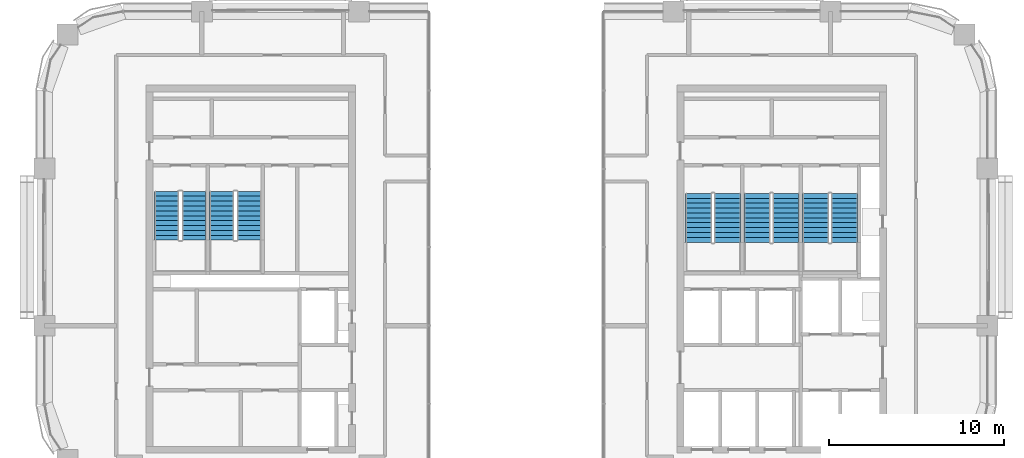
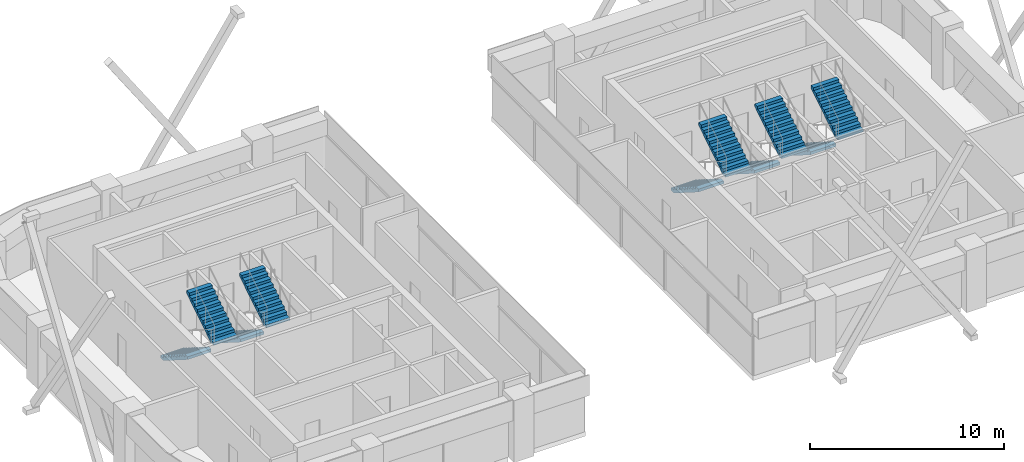
# One storey, part 12 of 14: 10 stair flights, 5 elements without a shape of their own.
"""IFC4 building model written with IfcOpenShell, lengths in metres."""

from ifc_helpers import new_model, si_unit, direction, frame, origin, place, context, subcontext, project, spatial, polyline, outline, extrude, material, type_object, element, aggregate, save


model = new_model("IFC4")

# Units and contexts
model_context = context("Model", 3, precision=1e-05, world=origin(), true_north=direction((0.0, 1.0)))
body_context = subcontext(model_context, "Body", "Model", "MODEL_VIEW")
ifc_project = project(units=[si_unit("LENGTHUNIT", "METRE"), si_unit("AREAUNIT", "SQUARE_METRE"), si_unit("VOLUMEUNIT", "CUBIC_METRE"), si_unit("PLANEANGLEUNIT", "RADIAN"), si_unit("MASSUNIT", "GRAM", prefix="KILO")], contexts=[model_context])

# Site, building, storey
site_placement = place(None, origin())
site = spatial("IfcSite", under=ifc_project, at=site_placement, CompositionType="ELEMENT")
building_placement = place(site_placement, origin())
building = spatial("IfcBuilding", under=site, at=building_placement, Name="Tessera Arch", CompositionType="ELEMENT")
storey_placement = place(building_placement, frame((0.0, 0.0, 215.0)))
storey = spatial("IfcBuildingStorey", under=building, at=storey_placement, Name="L51", CompositionType="ELEMENT", Elevation=215.0)

# Stair, stair flights
ifc_material_1 = material(Name="Concrete C40/50", Category="concrete")
stair_type_1 = type_object("IfcStairType", Name="Dogleg stair 1400", PredefinedType="HALF_TURN_STAIR", material=ifc_material_1)
stair_1_placement = place(storey_placement, origin())
stair_1 = element("IfcStair", 1, at=stair_1_placement, inside=storey, type_object=stair_type_1, Name="L51 S2a", PredefinedType="HALF_TURN_STAIR")
ifc_material_2 = material(Name="Concrete C40/50", Category="concrete")
stair_flight_type_1 = type_object("IfcStairFlightType", Name="Stair flight 1400", PredefinedType="STRAIGHT", material=ifc_material_2)
stair_flight_1_placement = place(storey_placement, frame((7.0, 43.699951171875, 0.0), z_axis=(0.0, 0.0, 1.0), x_axis=(0.0, -1.0, 0.0)))
stair_flight_1 = element("IfcStairFlight", 2, at=stair_flight_1_placement, type_object=stair_flight_type_1, Name="S2a flight 1", NumberOfRisers=11, NumberOfTreads=10, PredefinedType="STRAIGHT", RiserHeight=0.177272727, TreadLength=0.28, context=body_context, shape_type="SweptSolid", body=[
    extrude(outline(polyline([(0.0, 0.0), (0.0, 0.17724609375), (0.280029296875, 0.17724609375), (0.280029296875, 0.3544921875), (0.56005859375, 0.3544921875), (0.56005859375, 0.53173828125), (0.840087890625, 0.53173828125), (0.840087890625, 0.708984375), (1.1201171875, 0.708984375), (1.1201171875, 0.886474609375), (1.39990234375, 0.886474609375), (1.39990234375, 1.063720703125), (1.679931640625, 1.063720703125), (1.679931640625, 1.240966796875), (1.9599609375, 1.240966796875), (1.9599609375, 1.418212890625), (2.239990234375, 1.418212890625), (2.239990234375, 1.595458984375), (2.52001953125, 1.595458984375), (2.52001953125, 1.772705078125), (2.800048828125, 1.772705078125), (2.800048828125, 1.949951171875), (2.800048828125, 1.59521484375), (0.2802734375, 0.0), (0.0, 0.0)])), frame((0.0, 0.699951171875, 0.0), z_axis=(0.0, -1.0, 0.0), x_axis=(1.0, 0.0, 0.0)), (0.0, 0.0, 1.0), 1.39990234375),
])
stair_flight_2_placement = place(storey_placement, frame((8.550048828125, 40.89990234375, 1.949951171875), z_axis=(0.0, 0.0, 1.0), x_axis=(0.0, 1.0, 0.0)))
stair_flight_2 = element("IfcStairFlight", 3, at=stair_flight_2_placement, type_object=stair_flight_type_1, Name="S2a flight 2", NumberOfRisers=11, NumberOfTreads=10, PredefinedType="STRAIGHT", RiserHeight=0.177272727, TreadLength=0.28, context=body_context, shape_type="SweptSolid", body=[
    extrude(outline(polyline([(0.0, 0.0), (0.0, 0.17724609375), (0.280029296875, 0.17724609375), (0.280029296875, 0.3544921875), (0.56005859375, 0.3544921875), (0.56005859375, 0.53173828125), (0.840087890625, 0.53173828125), (0.840087890625, 0.708984375), (1.1201171875, 0.708984375), (1.1201171875, 0.886474609375), (1.39990234375, 0.886474609375), (1.39990234375, 1.063720703125), (1.679931640625, 1.063720703125), (1.679931640625, 1.240966796875), (1.9599609375, 1.240966796875), (1.9599609375, 1.418212890625), (2.239990234375, 1.418212890625), (2.239990234375, 1.595458984375), (2.52001953125, 1.595458984375), (2.52001953125, 1.772705078125), (2.800048828125, 1.772705078125), (2.800048828125, 1.949951171875), (2.800048828125, 1.59521484375), (0.2802734375, 0.0), (0.0, 0.0)])), frame((0.0, 0.699951171875, 0.0), z_axis=(0.0, -1.0, 0.0), x_axis=(1.0, 0.0, 0.0)), (0.0, 0.0, 1.0), 1.39990234375),
])
aggregate(stair_1, [stair_flight_1, stair_flight_2])

stair_2_placement = place(storey_placement, origin())
stair_2 = element("IfcStair", 4, at=stair_2_placement, inside=storey, type_object=stair_type_1, Name="L51 S2b", PredefinedType="HALF_TURN_STAIR")
stair_flight_3_placement = place(storey_placement, frame((10.14990234375, 43.699951171875, 0.0), z_axis=(0.0, 0.0, 1.0), x_axis=(0.0, -1.0, 0.0)))
stair_flight_3 = element("IfcStairFlight", 5, at=stair_flight_3_placement, type_object=stair_flight_type_1, Name="S2b flight 1", NumberOfRisers=11, NumberOfTreads=10, PredefinedType="STRAIGHT", RiserHeight=0.177272727, TreadLength=0.28, context=body_context, shape_type="SweptSolid", body=[
    extrude(outline(polyline([(0.0, 0.0), (0.0, 0.17724609375), (0.280029296875, 0.17724609375), (0.280029296875, 0.3544921875), (0.56005859375, 0.3544921875), (0.56005859375, 0.53173828125), (0.840087890625, 0.53173828125), (0.840087890625, 0.708984375), (1.1201171875, 0.708984375), (1.1201171875, 0.886474609375), (1.39990234375, 0.886474609375), (1.39990234375, 1.063720703125), (1.679931640625, 1.063720703125), (1.679931640625, 1.240966796875), (1.9599609375, 1.240966796875), (1.9599609375, 1.418212890625), (2.239990234375, 1.418212890625), (2.239990234375, 1.595458984375), (2.52001953125, 1.595458984375), (2.52001953125, 1.772705078125), (2.800048828125, 1.772705078125), (2.800048828125, 1.949951171875), (2.800048828125, 1.59521484375), (0.2802734375, 0.0), (0.0, 0.0)])), frame((0.0, 0.699951171875, 0.0), z_axis=(0.0, -1.0, 0.0), x_axis=(1.0, 0.0, 0.0)), (0.0, 0.0, 1.0), 1.39990234375),
])
stair_flight_4_placement = place(storey_placement, frame((11.699951171875, 40.89990234375, 1.949951171875), z_axis=(0.0, 0.0, 1.0), x_axis=(0.0, 1.0, 0.0)))
stair_flight_4 = element("IfcStairFlight", 6, at=stair_flight_4_placement, type_object=stair_flight_type_1, Name="S2b flight 2", NumberOfRisers=11, NumberOfTreads=10, PredefinedType="STRAIGHT", RiserHeight=0.177272727, TreadLength=0.28, context=body_context, shape_type="SweptSolid", body=[
    extrude(outline(polyline([(0.0, 0.0), (0.0, 0.17724609375), (0.280029296875, 0.17724609375), (0.280029296875, 0.3544921875), (0.56005859375, 0.3544921875), (0.56005859375, 0.53173828125), (0.840087890625, 0.53173828125), (0.840087890625, 0.708984375), (1.1201171875, 0.708984375), (1.1201171875, 0.886474609375), (1.39990234375, 0.886474609375), (1.39990234375, 1.063720703125), (1.679931640625, 1.063720703125), (1.679931640625, 1.240966796875), (1.9599609375, 1.240966796875), (1.9599609375, 1.418212890625), (2.239990234375, 1.418212890625), (2.239990234375, 1.595458984375), (2.52001953125, 1.595458984375), (2.52001953125, 1.772705078125), (2.800048828125, 1.772705078125), (2.800048828125, 1.949951171875), (2.800048828125, 1.59521484375), (0.2802734375, 0.0), (0.0, 0.0)])), frame((0.0, 0.699951171875, 0.0), z_axis=(0.0, -1.0, 0.0), x_axis=(1.0, 0.0, 0.0)), (0.0, 0.0, 1.0), 1.39990234375),
])
aggregate(stair_2, [stair_flight_3, stair_flight_4])

ifc_material_3 = material(Name="Concrete C40/50", Category="concrete")
stair_type_2 = type_object("IfcStairType", Name="Dogleg stair 1520", PredefinedType="HALF_TURN_STAIR", material=ifc_material_3)
stair_3_placement = place(storey_placement, origin())
stair_3 = element("IfcStair", 7, at=stair_3_placement, inside=storey, type_object=stair_type_2, Name="L51 S1a", PredefinedType="HALF_TURN_STAIR")
ifc_material_4 = material(Name="Concrete C40/50", Category="concrete")
stair_flight_type_2 = type_object("IfcStairFlightType", Name="Stair flight 1520", PredefinedType="STRAIGHT", material=ifc_material_4)
stair_flight_5_placement = place(storey_placement, frame((37.4599609375, 43.580078125, 0.0), z_axis=(0.0, 0.0, 1.0), x_axis=(0.0, -1.0, 0.0)))
stair_flight_5 = element("IfcStairFlight", 8, at=stair_flight_5_placement, type_object=stair_flight_type_2, Name="S1a flight 1", NumberOfRisers=11, NumberOfTreads=10, PredefinedType="STRAIGHT", RiserHeight=0.177272727, TreadLength=0.28, context=body_context, shape_type="SweptSolid", body=[
    extrude(outline(polyline([(0.0, 0.0), (0.0, 0.17724609375), (0.280029296875, 0.17724609375), (0.280029296875, 0.3544921875), (0.56005859375, 0.3544921875), (0.56005859375, 0.53173828125), (0.840087890625, 0.53173828125), (0.840087890625, 0.708984375), (1.1201171875, 0.708984375), (1.1201171875, 0.886474609375), (1.39990234375, 0.886474609375), (1.39990234375, 1.063720703125), (1.679931640625, 1.063720703125), (1.679931640625, 1.240966796875), (1.9599609375, 1.240966796875), (1.9599609375, 1.418212890625), (2.239990234375, 1.418212890625), (2.239990234375, 1.595458984375), (2.52001953125, 1.595458984375), (2.52001953125, 1.772705078125), (2.800048828125, 1.772705078125), (2.800048828125, 1.949951171875), (2.800048828125, 1.59521484375), (0.2802734375, 0.0), (0.0, 0.0)])), frame((0.0, 0.760009765625, 0.0), z_axis=(0.0, -1.0, 0.0), x_axis=(1.0, 0.0, 0.0)), (0.0, 0.0, 1.0), 1.52001953125),
])
stair_flight_6_placement = place(storey_placement, frame((39.090087890625, 40.780029296875, 1.949951171875), z_axis=(0.0, 0.0, 1.0), x_axis=(0.0, 1.0, 0.0)))
stair_flight_6 = element("IfcStairFlight", 9, at=stair_flight_6_placement, type_object=stair_flight_type_2, Name="S1a flight 2", NumberOfRisers=11, NumberOfTreads=10, PredefinedType="STRAIGHT", RiserHeight=0.177272727, TreadLength=0.28, context=body_context, shape_type="SweptSolid", body=[
    extrude(outline(polyline([(0.0, 0.0), (0.0, 0.17724609375), (0.280029296875, 0.17724609375), (0.280029296875, 0.3544921875), (0.56005859375, 0.3544921875), (0.56005859375, 0.53173828125), (0.840087890625, 0.53173828125), (0.840087890625, 0.708984375), (1.1201171875, 0.708984375), (1.1201171875, 0.886474609375), (1.39990234375, 0.886474609375), (1.39990234375, 1.063720703125), (1.679931640625, 1.063720703125), (1.679931640625, 1.240966796875), (1.9599609375, 1.240966796875), (1.9599609375, 1.418212890625), (2.239990234375, 1.418212890625), (2.239990234375, 1.595458984375), (2.52001953125, 1.595458984375), (2.52001953125, 1.772705078125), (2.800048828125, 1.772705078125), (2.800048828125, 1.949951171875), (2.800048828125, 1.59521484375), (0.2802734375, 0.0), (0.0, 0.0)])), frame((0.0, 0.760009765625, 0.0), z_axis=(0.0, -1.0, 0.0), x_axis=(1.0, 0.0, 0.0)), (0.0, 0.0, 1.0), 1.52001953125),
])
aggregate(stair_3, [stair_flight_5, stair_flight_6])

stair_4_placement = place(storey_placement, origin())
stair_4 = element("IfcStair", 10, at=stair_4_placement, inside=storey, type_object=stair_type_2, Name="L51 S1b", PredefinedType="HALF_TURN_STAIR")
stair_flight_7_placement = place(storey_placement, frame((40.81005859375, 43.580078125, 0.0), z_axis=(0.0, 0.0, 1.0), x_axis=(0.0, -1.0, 0.0)))
stair_flight_7 = element("IfcStairFlight", 11, at=stair_flight_7_placement, type_object=stair_flight_type_2, Name="S1b flight 1", NumberOfRisers=11, NumberOfTreads=10, PredefinedType="STRAIGHT", RiserHeight=0.177272727, TreadLength=0.28, context=body_context, shape_type="SweptSolid", body=[
    extrude(outline(polyline([(0.0, 0.0), (0.0, 0.17724609375), (0.280029296875, 0.17724609375), (0.280029296875, 0.3544921875), (0.56005859375, 0.3544921875), (0.56005859375, 0.53173828125), (0.840087890625, 0.53173828125), (0.840087890625, 0.708984375), (1.1201171875, 0.708984375), (1.1201171875, 0.886474609375), (1.39990234375, 0.886474609375), (1.39990234375, 1.063720703125), (1.679931640625, 1.063720703125), (1.679931640625, 1.240966796875), (1.9599609375, 1.240966796875), (1.9599609375, 1.418212890625), (2.239990234375, 1.418212890625), (2.239990234375, 1.595458984375), (2.52001953125, 1.595458984375), (2.52001953125, 1.772705078125), (2.800048828125, 1.772705078125), (2.800048828125, 1.949951171875), (2.800048828125, 1.59521484375), (0.2802734375, 0.0), (0.0, 0.0)])), frame((0.0, 0.760009765625, 0.0), z_axis=(0.0, -1.0, 0.0), x_axis=(1.0, 0.0, 0.0)), (0.0, 0.0, 1.0), 1.52001953125),
])
stair_flight_8_placement = place(storey_placement, frame((42.43994140625, 40.780029296875, 1.949951171875), z_axis=(0.0, 0.0, 1.0), x_axis=(0.0, 1.0, 0.0)))
stair_flight_8 = element("IfcStairFlight", 12, at=stair_flight_8_placement, type_object=stair_flight_type_2, Name="S1b flight 2", NumberOfRisers=11, NumberOfTreads=10, PredefinedType="STRAIGHT", RiserHeight=0.177272727, TreadLength=0.28, context=body_context, shape_type="SweptSolid", body=[
    extrude(outline(polyline([(0.0, 0.0), (0.0, 0.17724609375), (0.280029296875, 0.17724609375), (0.280029296875, 0.3544921875), (0.56005859375, 0.3544921875), (0.56005859375, 0.53173828125), (0.840087890625, 0.53173828125), (0.840087890625, 0.708984375), (1.1201171875, 0.708984375), (1.1201171875, 0.886474609375), (1.39990234375, 0.886474609375), (1.39990234375, 1.063720703125), (1.679931640625, 1.063720703125), (1.679931640625, 1.240966796875), (1.9599609375, 1.240966796875), (1.9599609375, 1.418212890625), (2.239990234375, 1.418212890625), (2.239990234375, 1.595458984375), (2.52001953125, 1.595458984375), (2.52001953125, 1.772705078125), (2.800048828125, 1.772705078125), (2.800048828125, 1.949951171875), (2.800048828125, 1.59521484375), (0.2802734375, 0.0), (0.0, 0.0)])), frame((0.0, 0.760009765625, 0.0), z_axis=(0.0, -1.0, 0.0), x_axis=(1.0, 0.0, 0.0)), (0.0, 0.0, 1.0), 1.52001953125),
])
aggregate(stair_4, [stair_flight_7, stair_flight_8])

stair_5_placement = place(storey_placement, origin())
stair_5 = element("IfcStair", 13, at=stair_5_placement, inside=storey, type_object=stair_type_2, Name="L51 S1c", PredefinedType="HALF_TURN_STAIR")
stair_flight_9_placement = place(storey_placement, frame((44.159912109375, 43.580078125, 0.0), z_axis=(0.0, 0.0, 1.0), x_axis=(0.0, -1.0, 0.0)))
stair_flight_9 = element("IfcStairFlight", 14, at=stair_flight_9_placement, type_object=stair_flight_type_2, Name="S1c flight 1", NumberOfRisers=11, NumberOfTreads=10, PredefinedType="STRAIGHT", RiserHeight=0.177272727, TreadLength=0.28, context=body_context, shape_type="SweptSolid", body=[
    extrude(outline(polyline([(0.0, 0.0), (0.0, 0.17724609375), (0.280029296875, 0.17724609375), (0.280029296875, 0.3544921875), (0.56005859375, 0.3544921875), (0.56005859375, 0.53173828125), (0.840087890625, 0.53173828125), (0.840087890625, 0.708984375), (1.1201171875, 0.708984375), (1.1201171875, 0.886474609375), (1.39990234375, 0.886474609375), (1.39990234375, 1.063720703125), (1.679931640625, 1.063720703125), (1.679931640625, 1.240966796875), (1.9599609375, 1.240966796875), (1.9599609375, 1.418212890625), (2.239990234375, 1.418212890625), (2.239990234375, 1.595458984375), (2.52001953125, 1.595458984375), (2.52001953125, 1.772705078125), (2.800048828125, 1.772705078125), (2.800048828125, 1.949951171875), (2.800048828125, 1.59521484375), (0.2802734375, 0.0), (0.0, 0.0)])), frame((0.0, 0.760009765625, 0.0), z_axis=(0.0, -1.0, 0.0), x_axis=(1.0, 0.0, 0.0)), (0.0, 0.0, 1.0), 1.52001953125),
])
stair_flight_10_placement = place(storey_placement, frame((45.7900390625, 40.780029296875, 1.949951171875), z_axis=(0.0, 0.0, 1.0), x_axis=(0.0, 1.0, 0.0)))
stair_flight_10 = element("IfcStairFlight", 15, at=stair_flight_10_placement, type_object=stair_flight_type_2, Name="S1c flight 2", NumberOfRisers=11, NumberOfTreads=10, PredefinedType="STRAIGHT", RiserHeight=0.177272727, TreadLength=0.28, context=body_context, shape_type="SweptSolid", body=[
    extrude(outline(polyline([(0.0, 0.0), (0.0, 0.17724609375), (0.280029296875, 0.17724609375), (0.280029296875, 0.3544921875), (0.56005859375, 0.3544921875), (0.56005859375, 0.53173828125), (0.840087890625, 0.53173828125), (0.840087890625, 0.708984375), (1.1201171875, 0.708984375), (1.1201171875, 0.886474609375), (1.39990234375, 0.886474609375), (1.39990234375, 1.063720703125), (1.679931640625, 1.063720703125), (1.679931640625, 1.240966796875), (1.9599609375, 1.240966796875), (1.9599609375, 1.418212890625), (2.239990234375, 1.418212890625), (2.239990234375, 1.595458984375), (2.52001953125, 1.595458984375), (2.52001953125, 1.772705078125), (2.800048828125, 1.772705078125), (2.800048828125, 1.949951171875), (2.800048828125, 1.59521484375), (0.2802734375, 0.0), (0.0, 0.0)])), frame((0.0, 0.760009765625, 0.0), z_axis=(0.0, -1.0, 0.0), x_axis=(1.0, 0.0, 0.0)), (0.0, 0.0, 1.0), 1.52001953125),
])
aggregate(stair_5, [stair_flight_9, stair_flight_10])

save(model, "model.ifc")
